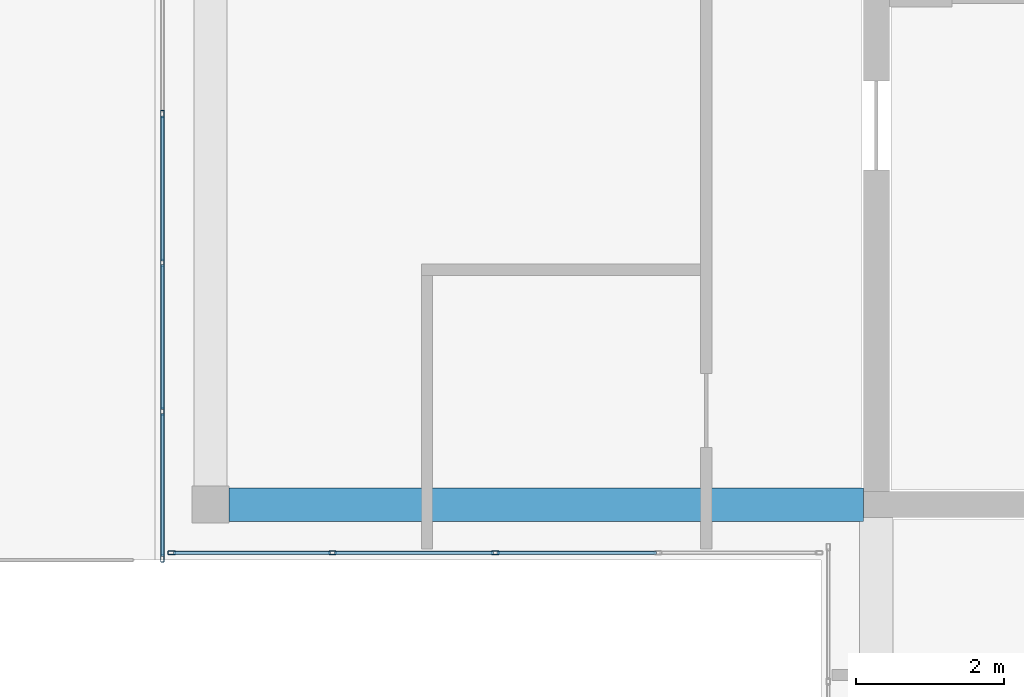
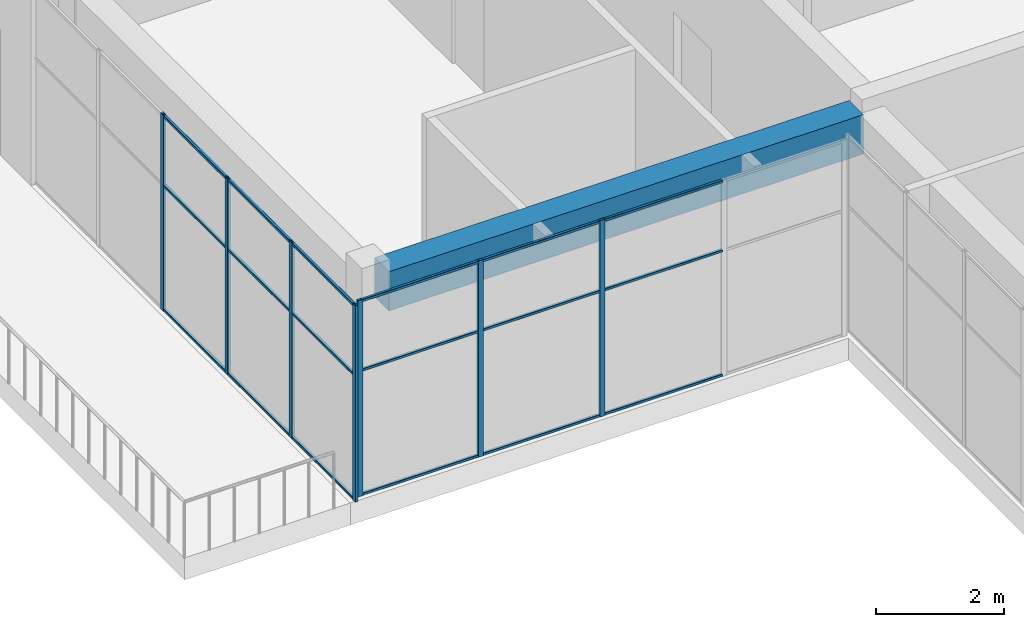
# One storey, part 4 of 34: 25 members, 1 beam, 2 elements without a shape of their own.
"""IFC4 building model written with IfcOpenShell, lengths in metres."""

from ifc_helpers import new_model, si_unit, direction, frame, origin, origin_2d, place, context, subcontext, project, spatial, rectangle, hollow_rectangle, extrude, material, layer, layer_set, material_profile, profile_set, type_object, element, aggregate, save


model = new_model("IFC4")

# Units and contexts
model_context = context("Model", 3, precision=1e-05, world=origin(), true_north=direction((0.0, 1.0)))
body_context = subcontext(model_context, "Body", "Model", "MODEL_VIEW")
ifc_project = project(units=[si_unit("LENGTHUNIT", "METRE"), si_unit("AREAUNIT", "SQUARE_METRE"), si_unit("VOLUMEUNIT", "CUBIC_METRE"), si_unit("PLANEANGLEUNIT", "RADIAN"), si_unit("MASSUNIT", "GRAM", prefix="KILO")], contexts=[model_context])

# Site, building, storey
site_placement = place(None, origin())
site = spatial("IfcSite", under=ifc_project, at=site_placement, CompositionType="ELEMENT")
building_placement = place(site_placement, origin())
building = spatial("IfcBuilding", under=site, at=building_placement, Name="Tuart Plaza Theatre", CompositionType="ELEMENT")
storey_placement = place(building_placement, frame((0.0, 0.0, 53.5)))
storey = spatial("IfcBuildingStorey", under=building, at=storey_placement, Name="L13", CompositionType="ELEMENT", Elevation=53.5)

# Beam
ifc_material_1 = material(Name="Concrete N40 (40 MPa)", Category="concrete")
ifc_material_profile_1 = material_profile(ifc_material_1, rectangle(XDim=0.449951171875, YDim=0.75, at=origin_2d()), Name="BEAM 450x750 Concrete N40 (40 MPa)")
ifc_profile_set_1 = profile_set([ifc_material_profile_1], Name="Concrete N40 (40 MPa)")
beam_type = type_object("IfcBeamType", Name="BEAM 450x750 Concrete N40 (40 MPa)", PredefinedType="BEAM", material=ifc_profile_set_1)
beam_placement = place(storey_placement, frame((114.25, 65.0, 3.375), z_axis=(1.0, 0.0, 0.0), x_axis=(0.0, 1.0, 0.0)))
element("IfcBeam", 1, at=beam_placement, inside=storey, type_object=beam_type, Name="RB319", PredefinedType="BEAM", context=body_context, shape_type="SweptSolid", body=[
    extrude(rectangle(XDim=0.449951171875, YDim=0.75, at=origin_2d()), origin(), (0.0, 0.0, 1.0), 8.574951171875),
])

# Curtain wall, members
ifc_material_2 = material(Name="Aluminium and glass", Category="aluminium")
ifc_layer = layer(ifc_material_2, 0.10009765625)
ifc_layer_set = layer_set([ifc_layer], Name="CURTAIN WALL 2000 module")
curtain_wall_type = type_object("IfcCurtainWallType", Name="CURTAIN WALL 2000 module", PredefinedType="NOTDEFINED", material=ifc_layer_set)
curtain_wall_1_placement = place(storey_placement, origin())
curtain_wall_1 = element("IfcCurtainWall", 2, at=curtain_wall_1_placement, inside=storey, type_object=curtain_wall_type, Name="CW119", PredefinedType="NOTDEFINED")
ifc_material_3 = material(Name="Aluminium 6063-T5", Category="aluminium")
ifc_material_profile_2 = material_profile(ifc_material_3, hollow_rectangle(XDim=0.050048828125, YDim=0.10009765625, WallThickness=0.00390625, InnerFilletRadius=0.00390625, OuterFilletRadius=0.008056640625, at=origin_2d()), Name="RHS 100x50x4")
ifc_profile_set_2 = profile_set([ifc_material_profile_2], Name="Aluminium 6063-T5")
member_type_1 = type_object("IfcMemberType", Name="MULLION RHS 100x50x4", PredefinedType="MULLION", material=ifc_profile_set_2)
member_1_placement = place(storey_placement, frame((113.35009765625, 70.280029296875, 0.0), z_axis=(0.0, 0.0, 1.0), x_axis=(1.0, 0.0, 0.0)))
member_1 = element("IfcMember", 3, at=member_1_placement, type_object=member_type_1, Name="CW119 mullion 3", PredefinedType="MULLION", context=body_context, shape_type="SweptSolid", body=[
    extrude(hollow_rectangle(XDim=0.050048828125, YDim=0.10009765625, WallThickness=0.00390625, InnerFilletRadius=0.00390625, OuterFilletRadius=0.008056640625, at=origin_2d()), origin(), (0.0, 0.0, 1.0), 3.75),
])
member_2_placement = place(storey_placement, frame((113.35009765625, 68.27001953125, 0.0), z_axis=(0.0, 0.0, 1.0), x_axis=(1.0, 0.0, 0.0)))
member_2 = element("IfcMember", 4, at=member_2_placement, type_object=member_type_1, Name="CW119 mullion 4", PredefinedType="MULLION", context=body_context, shape_type="SweptSolid", body=[
    extrude(hollow_rectangle(XDim=0.050048828125, YDim=0.10009765625, WallThickness=0.00390625, InnerFilletRadius=0.00390625, OuterFilletRadius=0.008056640625, at=origin_2d()), origin(), (0.0, 0.0, 1.0), 3.75),
])
member_3_placement = place(storey_placement, frame((113.35009765625, 66.260009765625, 0.0), z_axis=(0.0, 0.0, 1.0), x_axis=(1.0, 0.0, 0.0)))
member_3 = element("IfcMember", 5, at=member_3_placement, type_object=member_type_1, Name="CW119 mullion 5", PredefinedType="MULLION", context=body_context, shape_type="SweptSolid", body=[
    extrude(hollow_rectangle(XDim=0.050048828125, YDim=0.10009765625, WallThickness=0.00390625, InnerFilletRadius=0.00390625, OuterFilletRadius=0.008056640625, at=origin_2d()), origin(), (0.0, 0.0, 1.0), 3.75),
])
member_4_placement = place(storey_placement, frame((113.35009765625, 64.27490234375, 0.0), z_axis=(0.0, 0.0, 1.0), x_axis=(1.0, 0.0, 0.0)))
member_4 = element("IfcMember", 6, at=member_4_placement, type_object=member_type_1, Name="CW119 mullion 6", PredefinedType="MULLION", context=body_context, shape_type="SweptSolid", body=[
    extrude(hollow_rectangle(XDim=0.050048828125, YDim=0.10009765625, WallThickness=0.00390625, InnerFilletRadius=0.00390625, OuterFilletRadius=0.008056640625, at=origin_2d()), origin(), (0.0, 0.0, 1.0), 3.75),
])

curtain_wall_2_placement = place(storey_placement, origin())
curtain_wall_2 = element("IfcCurtainWall", 7, at=curtain_wall_2_placement, inside=storey, type_object=curtain_wall_type, Name="CW120", PredefinedType="NOTDEFINED")
member_5_placement = place(storey_placement, frame((113.47509765625, 64.35009765625, 0.0), z_axis=(0.0, 0.0, 1.0), x_axis=(0.0, 1.0, 0.0)))
member_5 = element("IfcMember", 8, at=member_5_placement, type_object=member_type_1, Name="CW120 mullion 1", PredefinedType="MULLION", context=body_context, shape_type="SweptSolid", body=[
    extrude(hollow_rectangle(XDim=0.050048828125, YDim=0.10009765625, WallThickness=0.00390625, InnerFilletRadius=0.00390625, OuterFilletRadius=0.008056640625, at=origin_2d()), origin(), (0.0, 0.0, 1.0), 3.75),
])
member_6_placement = place(storey_placement, frame((115.64990234375, 64.35009765625, 0.0), z_axis=(0.0, 0.0, 1.0), x_axis=(0.0, 1.0, 0.0)))
member_6 = element("IfcMember", 9, at=member_6_placement, type_object=member_type_1, Name="CW120 mullion 2", PredefinedType="MULLION", context=body_context, shape_type="SweptSolid", body=[
    extrude(hollow_rectangle(XDim=0.050048828125, YDim=0.10009765625, WallThickness=0.00390625, InnerFilletRadius=0.00390625, OuterFilletRadius=0.008056640625, at=origin_2d()), origin(), (0.0, 0.0, 1.0), 3.75),
])
member_7_placement = place(storey_placement, frame((117.85009765625, 64.35009765625, 0.0), z_axis=(0.0, 0.0, 1.0), x_axis=(0.0, 1.0, 0.0)))
member_7 = element("IfcMember", 10, at=member_7_placement, type_object=member_type_1, Name="CW120 mullion 3", PredefinedType="MULLION", context=body_context, shape_type="SweptSolid", body=[
    extrude(hollow_rectangle(XDim=0.050048828125, YDim=0.10009765625, WallThickness=0.00390625, InnerFilletRadius=0.00390625, OuterFilletRadius=0.008056640625, at=origin_2d()), origin(), (0.0, 0.0, 1.0), 3.75),
])

# Member
ifc_material_4 = material(Name="Aluminium 6063-T5", Category="aluminium")
ifc_material_profile_3 = material_profile(ifc_material_4, hollow_rectangle(XDim=0.050048828125, YDim=0.050048828125, WallThickness=0.00390625, InnerFilletRadius=0.00390625, OuterFilletRadius=0.008056640625, at=origin_2d()), Name="RHS 50x50x4")
ifc_profile_set_3 = profile_set([ifc_material_profile_3], Name="Aluminium 6063-T5")
member_type_2 = type_object("IfcMemberType", Name="TRANSOM RHS 50x50x4", PredefinedType="USERDEFINED", material=ifc_profile_set_3)
member_8_placement = place(storey_placement, frame((113.35009765625, 70.2548828125, 0.02490234375), z_axis=(0.0, -1.0, 0.0), x_axis=(1.0, 0.0, 0.0)))
member_8 = element("IfcMember", 11, at=member_8_placement, type_object=member_type_2, Name="CW119 transom 3.1", ObjectType="TRANSOM", PredefinedType="USERDEFINED", context=body_context, shape_type="SweptSolid", body=[
    extrude(hollow_rectangle(XDim=0.050048828125, YDim=0.050048828125, WallThickness=0.00390625, InnerFilletRadius=0.00390625, OuterFilletRadius=0.008056640625, at=origin_2d()), origin(), (0.0, 0.0, 1.0), 1.9599609375),
])

member_9_placement = place(storey_placement, frame((113.35009765625, 70.2548828125, 2.39990234375), z_axis=(0.0, -1.0, 0.0), x_axis=(1.0, 0.0, 0.0)))
member_9 = element("IfcMember", 12, at=member_9_placement, type_object=member_type_2, Name="CW119 transom 3.2", ObjectType="TRANSOM", PredefinedType="USERDEFINED", context=body_context, shape_type="SweptSolid", body=[
    extrude(hollow_rectangle(XDim=0.050048828125, YDim=0.050048828125, WallThickness=0.00390625, InnerFilletRadius=0.00390625, OuterFilletRadius=0.008056640625, at=origin_2d()), origin(), (0.0, 0.0, 1.0), 1.9599609375),
])

member_10_placement = place(storey_placement, frame((113.35009765625, 70.2548828125, 3.72509765625), z_axis=(0.0, -1.0, 0.0), x_axis=(1.0, 0.0, 0.0)))
member_10 = element("IfcMember", 13, at=member_10_placement, type_object=member_type_2, Name="CW119 transom 3.3", ObjectType="TRANSOM", PredefinedType="USERDEFINED", context=body_context, shape_type="SweptSolid", body=[
    extrude(hollow_rectangle(XDim=0.050048828125, YDim=0.050048828125, WallThickness=0.00390625, InnerFilletRadius=0.00390625, OuterFilletRadius=0.008056640625, at=origin_2d()), origin(), (0.0, 0.0, 1.0), 1.9599609375),
])

member_11_placement = place(storey_placement, frame((113.35009765625, 68.2451171875, 0.02490234375), z_axis=(0.0, -1.0, 0.0), x_axis=(1.0, 0.0, 0.0)))
member_11 = element("IfcMember", 14, at=member_11_placement, type_object=member_type_2, Name="CW119 transom 4.1", ObjectType="TRANSOM", PredefinedType="USERDEFINED", context=body_context, shape_type="SweptSolid", body=[
    extrude(hollow_rectangle(XDim=0.050048828125, YDim=0.050048828125, WallThickness=0.00390625, InnerFilletRadius=0.00390625, OuterFilletRadius=0.008056640625, at=origin_2d()), origin(), (0.0, 0.0, 1.0), 1.960205078125),
])

member_12_placement = place(storey_placement, frame((113.35009765625, 68.2451171875, 2.39990234375), z_axis=(0.0, -1.0, 0.0), x_axis=(1.0, 0.0, 0.0)))
member_12 = element("IfcMember", 15, at=member_12_placement, type_object=member_type_2, Name="CW119 transom 4.2", ObjectType="TRANSOM", PredefinedType="USERDEFINED", context=body_context, shape_type="SweptSolid", body=[
    extrude(hollow_rectangle(XDim=0.050048828125, YDim=0.050048828125, WallThickness=0.00390625, InnerFilletRadius=0.00390625, OuterFilletRadius=0.008056640625, at=origin_2d()), origin(), (0.0, 0.0, 1.0), 1.960205078125),
])

member_13_placement = place(storey_placement, frame((113.35009765625, 68.2451171875, 3.72509765625), z_axis=(0.0, -1.0, 0.0), x_axis=(1.0, 0.0, 0.0)))
member_13 = element("IfcMember", 16, at=member_13_placement, type_object=member_type_2, Name="CW119 transom 4.3", ObjectType="TRANSOM", PredefinedType="USERDEFINED", context=body_context, shape_type="SweptSolid", body=[
    extrude(hollow_rectangle(XDim=0.050048828125, YDim=0.050048828125, WallThickness=0.00390625, InnerFilletRadius=0.00390625, OuterFilletRadius=0.008056640625, at=origin_2d()), origin(), (0.0, 0.0, 1.0), 1.960205078125),
])

member_14_placement = place(storey_placement, frame((113.35009765625, 66.235107421875, 0.02490234375), z_axis=(0.0, -1.0, 0.0), x_axis=(1.0, 0.0, 0.0)))
member_14 = element("IfcMember", 17, at=member_14_placement, type_object=member_type_2, Name="CW119 transom 5.1", ObjectType="TRANSOM", PredefinedType="USERDEFINED", context=body_context, shape_type="SweptSolid", body=[
    extrude(hollow_rectangle(XDim=0.050048828125, YDim=0.050048828125, WallThickness=0.00390625, InnerFilletRadius=0.00390625, OuterFilletRadius=0.008056640625, at=origin_2d()), origin(), (0.0, 0.0, 1.0), 1.93505859375),
])

member_15_placement = place(storey_placement, frame((113.35009765625, 66.235107421875, 2.39990234375), z_axis=(0.0, -1.0, 0.0), x_axis=(1.0, 0.0, 0.0)))
member_15 = element("IfcMember", 18, at=member_15_placement, type_object=member_type_2, Name="CW119 transom 5.2", ObjectType="TRANSOM", PredefinedType="USERDEFINED", context=body_context, shape_type="SweptSolid", body=[
    extrude(hollow_rectangle(XDim=0.050048828125, YDim=0.050048828125, WallThickness=0.00390625, InnerFilletRadius=0.00390625, OuterFilletRadius=0.008056640625, at=origin_2d()), origin(), (0.0, 0.0, 1.0), 1.93505859375),
])

member_16_placement = place(storey_placement, frame((113.35009765625, 66.235107421875, 3.72509765625), z_axis=(0.0, -1.0, 0.0), x_axis=(1.0, 0.0, 0.0)))
member_16 = element("IfcMember", 19, at=member_16_placement, type_object=member_type_2, Name="CW119 transom 5.3", ObjectType="TRANSOM", PredefinedType="USERDEFINED", context=body_context, shape_type="SweptSolid", body=[
    extrude(hollow_rectangle(XDim=0.050048828125, YDim=0.050048828125, WallThickness=0.00390625, InnerFilletRadius=0.00390625, OuterFilletRadius=0.008056640625, at=origin_2d()), origin(), (0.0, 0.0, 1.0), 1.93505859375),
])

aggregate(curtain_wall_1, [member_1, member_2, member_3, member_4, member_8, member_9, member_10, member_11, member_12, member_13, member_14, member_15, member_16])

member_17_placement = place(storey_placement, frame((113.5, 64.35009765625, 0.02490234375), z_axis=(1.0, 0.0, 0.0), x_axis=(0.0, 1.0, 0.0)))
member_17 = element("IfcMember", 20, at=member_17_placement, type_object=member_type_2, Name="CW120 transom 1.1", ObjectType="TRANSOM", PredefinedType="USERDEFINED", context=body_context, shape_type="SweptSolid", body=[
    extrude(hollow_rectangle(XDim=0.050048828125, YDim=0.050048828125, WallThickness=0.00390625, InnerFilletRadius=0.00390625, OuterFilletRadius=0.008056640625, at=origin_2d()), origin(), (0.0, 0.0, 1.0), 2.125),
])

member_18_placement = place(storey_placement, frame((113.5, 64.35009765625, 2.39990234375), z_axis=(1.0, 0.0, 0.0), x_axis=(0.0, 1.0, 0.0)))
member_18 = element("IfcMember", 21, at=member_18_placement, type_object=member_type_2, Name="CW120 transom 1.2", ObjectType="TRANSOM", PredefinedType="USERDEFINED", context=body_context, shape_type="SweptSolid", body=[
    extrude(hollow_rectangle(XDim=0.050048828125, YDim=0.050048828125, WallThickness=0.00390625, InnerFilletRadius=0.00390625, OuterFilletRadius=0.008056640625, at=origin_2d()), origin(), (0.0, 0.0, 1.0), 2.125),
])

member_19_placement = place(storey_placement, frame((113.5, 64.35009765625, 3.72509765625), z_axis=(1.0, 0.0, 0.0), x_axis=(0.0, 1.0, 0.0)))
member_19 = element("IfcMember", 22, at=member_19_placement, type_object=member_type_2, Name="CW120 transom 1.3", ObjectType="TRANSOM", PredefinedType="USERDEFINED", context=body_context, shape_type="SweptSolid", body=[
    extrude(hollow_rectangle(XDim=0.050048828125, YDim=0.050048828125, WallThickness=0.00390625, InnerFilletRadius=0.00390625, OuterFilletRadius=0.008056640625, at=origin_2d()), origin(), (0.0, 0.0, 1.0), 2.125),
])

member_20_placement = place(storey_placement, frame((115.675048828125, 64.35009765625, 0.02490234375), z_axis=(1.0, 0.0, 0.0), x_axis=(0.0, 1.0, 0.0)))
member_20 = element("IfcMember", 23, at=member_20_placement, type_object=member_type_2, Name="CW120 transom 2.1", ObjectType="TRANSOM", PredefinedType="USERDEFINED", context=body_context, shape_type="SweptSolid", body=[
    extrude(hollow_rectangle(XDim=0.050048828125, YDim=0.050048828125, WallThickness=0.00390625, InnerFilletRadius=0.00390625, OuterFilletRadius=0.008056640625, at=origin_2d()), origin(), (0.0, 0.0, 1.0), 2.14990234375),
])

member_21_placement = place(storey_placement, frame((115.675048828125, 64.35009765625, 2.39990234375), z_axis=(1.0, 0.0, 0.0), x_axis=(0.0, 1.0, 0.0)))
member_21 = element("IfcMember", 24, at=member_21_placement, type_object=member_type_2, Name="CW120 transom 2.2", ObjectType="TRANSOM", PredefinedType="USERDEFINED", context=body_context, shape_type="SweptSolid", body=[
    extrude(hollow_rectangle(XDim=0.050048828125, YDim=0.050048828125, WallThickness=0.00390625, InnerFilletRadius=0.00390625, OuterFilletRadius=0.008056640625, at=origin_2d()), origin(), (0.0, 0.0, 1.0), 2.14990234375),
])

member_22_placement = place(storey_placement, frame((115.675048828125, 64.35009765625, 3.72509765625), z_axis=(1.0, 0.0, 0.0), x_axis=(0.0, 1.0, 0.0)))
member_22 = element("IfcMember", 25, at=member_22_placement, type_object=member_type_2, Name="CW120 transom 2.3", ObjectType="TRANSOM", PredefinedType="USERDEFINED", context=body_context, shape_type="SweptSolid", body=[
    extrude(hollow_rectangle(XDim=0.050048828125, YDim=0.050048828125, WallThickness=0.00390625, InnerFilletRadius=0.00390625, OuterFilletRadius=0.008056640625, at=origin_2d()), origin(), (0.0, 0.0, 1.0), 2.14990234375),
])

member_23_placement = place(storey_placement, frame((117.875, 64.35009765625, 0.02490234375), z_axis=(1.0, 0.0, 0.0), x_axis=(0.0, 1.0, 0.0)))
member_23 = element("IfcMember", 26, at=member_23_placement, type_object=member_type_2, Name="CW120 transom 3.1", ObjectType="TRANSOM", PredefinedType="USERDEFINED", context=body_context, shape_type="SweptSolid", body=[
    extrude(hollow_rectangle(XDim=0.050048828125, YDim=0.050048828125, WallThickness=0.00390625, InnerFilletRadius=0.00390625, OuterFilletRadius=0.008056640625, at=origin_2d()), origin(), (0.0, 0.0, 1.0), 2.14990234375),
])

member_24_placement = place(storey_placement, frame((117.875, 64.35009765625, 2.39990234375), z_axis=(1.0, 0.0, 0.0), x_axis=(0.0, 1.0, 0.0)))
member_24 = element("IfcMember", 27, at=member_24_placement, type_object=member_type_2, Name="CW120 transom 3.2", ObjectType="TRANSOM", PredefinedType="USERDEFINED", context=body_context, shape_type="SweptSolid", body=[
    extrude(hollow_rectangle(XDim=0.050048828125, YDim=0.050048828125, WallThickness=0.00390625, InnerFilletRadius=0.00390625, OuterFilletRadius=0.008056640625, at=origin_2d()), origin(), (0.0, 0.0, 1.0), 2.14990234375),
])

member_25_placement = place(storey_placement, frame((117.875, 64.35009765625, 3.72509765625), z_axis=(1.0, 0.0, 0.0), x_axis=(0.0, 1.0, 0.0)))
member_25 = element("IfcMember", 28, at=member_25_placement, type_object=member_type_2, Name="CW120 transom 3.3", ObjectType="TRANSOM", PredefinedType="USERDEFINED", context=body_context, shape_type="SweptSolid", body=[
    extrude(hollow_rectangle(XDim=0.050048828125, YDim=0.050048828125, WallThickness=0.00390625, InnerFilletRadius=0.00390625, OuterFilletRadius=0.008056640625, at=origin_2d()), origin(), (0.0, 0.0, 1.0), 2.14990234375),
])

aggregate(curtain_wall_2, [member_5, member_6, member_7, member_17, member_18, member_19, member_20, member_21, member_22, member_23, member_24, member_25])

save(model, "model.ifc")
